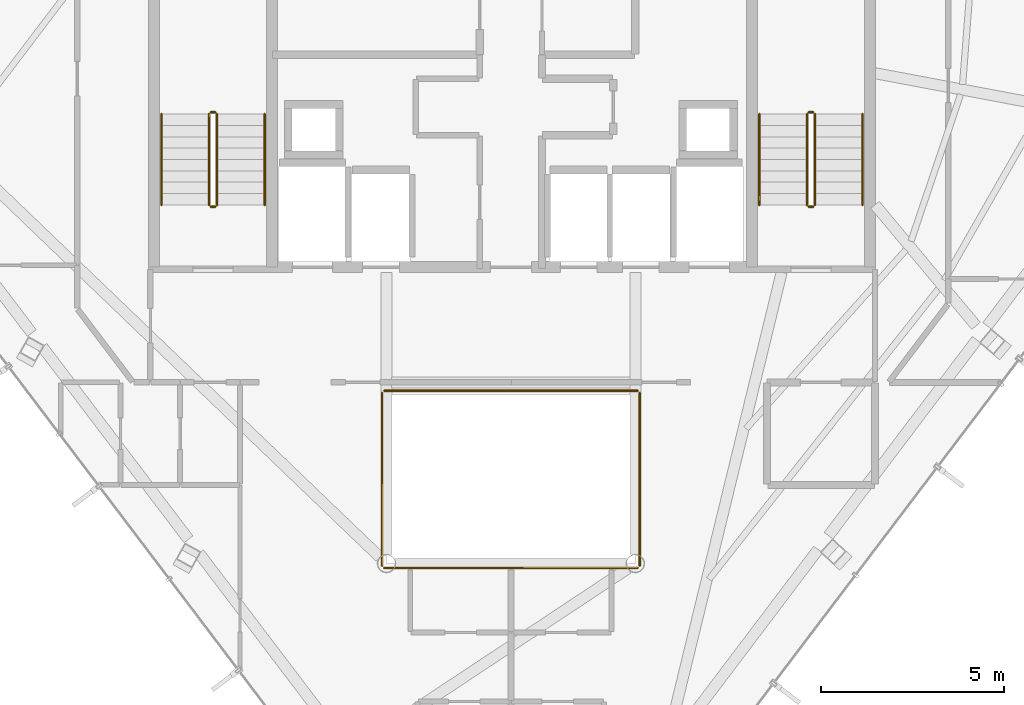
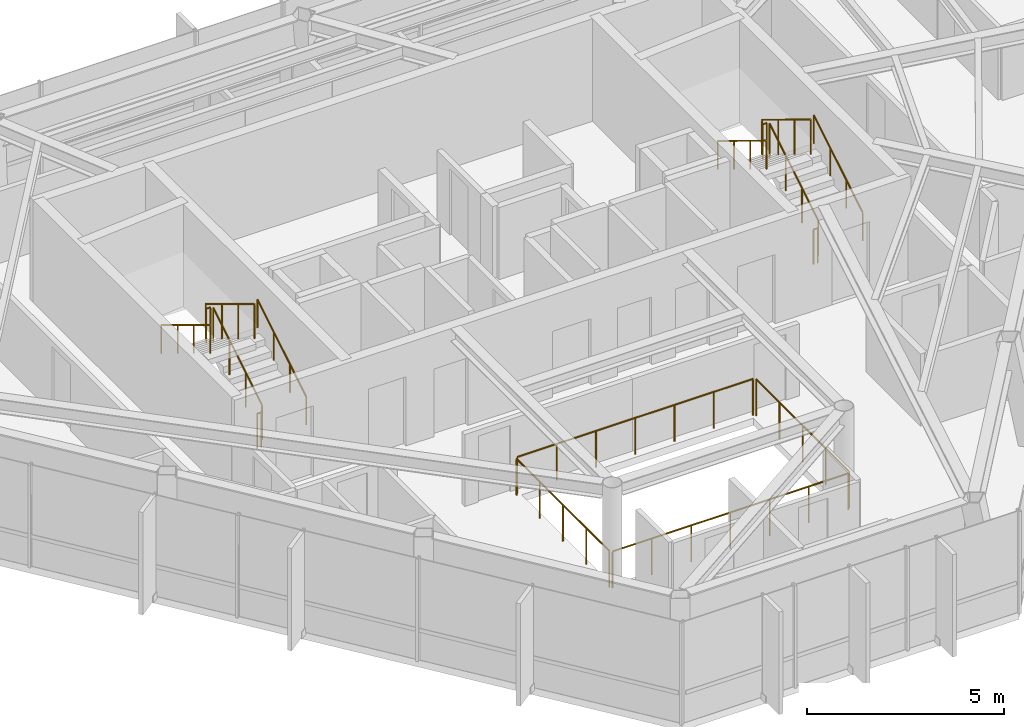
# One storey, part 26 of 26: 16 railings.
"""IFC4 building model written with IfcOpenShell, lengths in metres."""

from ifc_helpers import new_model, si_unit, direction, frame, origin, origin_2d, place, context, subcontext, project, spatial, circle, extrude, material, type_object, element, save


model = new_model("IFC4")

# Units and contexts
model_context = context("Model", 3, precision=1e-05, world=origin(), true_north=direction((0.0, 1.0)))
body_context = subcontext(model_context, "Body", "Model", "MODEL_VIEW")
ifc_project = project(units=[si_unit("LENGTHUNIT", "METRE"), si_unit("AREAUNIT", "SQUARE_METRE"), si_unit("VOLUMEUNIT", "CUBIC_METRE"), si_unit("PLANEANGLEUNIT", "RADIAN"), si_unit("MASSUNIT", "GRAM", prefix="KILO")], contexts=[model_context])

# Site, building, storey
site_placement = place(None, origin())
site = spatial("IfcSite", under=ifc_project, at=site_placement, CompositionType="ELEMENT")
building_placement = place(site_placement, origin())
building = spatial("IfcBuilding", under=site, at=building_placement, Name="Zarrinselat Tower", CompositionType="ELEMENT")
storey_placement = place(building_placement, frame((0.0, 0.0, 265.199951171875)))
storey = spatial("IfcBuildingStorey", under=building, at=storey_placement, Name="L67", CompositionType="ELEMENT", Elevation=265.199951171875)

# Railings
ifc_material_1 = material(Name="Double Low-E Laminated Solar Glass", Category="glass")
railing_type_1 = type_object("IfcRailingType", Name="RLG-ATRIUM-BAL", PredefinedType="BALUSTRADE", material=ifc_material_1)
railing_1_placement = place(storey_placement, frame((34.93994140625, 25.080078125, 0.0)))
element("IfcRailing", 1, at=railing_1_placement, inside=storey, type_object=railing_type_1, Name="L67 Atrium Void Glass Balustrade S", PredefinedType="BALUSTRADE", context=body_context, shape_type="SweptSolid", body=[
    extrude(circle(Radius=0.02392578125, at=origin_2d()), frame((0.0, 0.0, 1.1259765625), z_axis=(1.0, 0.0, 0.0), x_axis=(0.0, 1.0, 0.0)), (0.0, 0.0, 1.0), 6.920166015625),
    extrude(circle(Radius=0.02099609375, at=origin_2d()), origin(), (0.0, 0.0, 1.0), 1.099853515625),
    extrude(circle(Radius=0.02099609375, at=origin_2d()), frame((1.1533203125, 0.0, 0.0)), (0.0, 0.0, 1.0), 1.099853515625),
    extrude(circle(Radius=0.02099609375, at=origin_2d()), frame((2.306640625, 0.0, 0.0)), (0.0, 0.0, 1.0), 1.099853515625),
    extrude(circle(Radius=0.02099609375, at=origin_2d()), frame((3.4599609375, 0.0, 0.0)), (0.0, 0.0, 1.0), 1.099853515625),
    extrude(circle(Radius=0.02099609375, at=origin_2d()), frame((4.613525390625, 0.0, 0.0)), (0.0, 0.0, 1.0), 1.099853515625),
    extrude(circle(Radius=0.02099609375, at=origin_2d()), frame((5.766845703125, 0.0, 0.0)), (0.0, 0.0, 1.0), 1.099853515625),
    extrude(circle(Radius=0.02099609375, at=origin_2d()), frame((6.920166015625, 0.0, 0.0)), (0.0, 0.0, 1.0), 1.099853515625),
])
railing_2_placement = place(storey_placement, frame((41.919921875, 25.139892578125, 0.0)))
element("IfcRailing", 2, at=railing_2_placement, inside=storey, type_object=railing_type_1, Name="L67 Atrium Void Glass Balustrade E", PredefinedType="BALUSTRADE", context=body_context, shape_type="SweptSolid", body=[
    extrude(circle(Radius=0.02392578125, at=origin_2d()), frame((0.0, 0.0, 1.1259765625), z_axis=(0.0, 1.0, 0.0), x_axis=(-1.0, 0.0, 0.0)), (0.0, 0.0, 1.0), 4.72021484375),
    extrude(circle(Radius=0.02099609375, at=origin_2d()), origin(), (0.0, 0.0, 1.0), 1.099853515625),
    extrude(circle(Radius=0.02099609375, at=origin_2d()), frame((0.0, 1.18017578125, 0.0)), (0.0, 0.0, 1.0), 1.099853515625),
    extrude(circle(Radius=0.02099609375, at=origin_2d()), frame((0.0, 2.360107421875, 0.0)), (0.0, 0.0, 1.0), 1.099853515625),
    extrude(circle(Radius=0.02099609375, at=origin_2d()), frame((0.0, 3.5400390625, 0.0)), (0.0, 0.0, 1.0), 1.099853515625),
    extrude(circle(Radius=0.02099609375, at=origin_2d()), frame((0.0, 4.72021484375, 0.0)), (0.0, 0.0, 1.0), 1.099853515625),
])
railing_3_placement = place(storey_placement, frame((41.860107421875, 29.919921875, 0.0)))
element("IfcRailing", 3, at=railing_3_placement, inside=storey, type_object=railing_type_1, Name="L67 Atrium Void Glass Balustrade N", PredefinedType="BALUSTRADE", context=body_context, shape_type="SweptSolid", body=[
    extrude(circle(Radius=0.02392578125, at=origin_2d()), frame((0.0, 0.0, 1.1259765625), z_axis=(-1.0, 0.0, 0.0), x_axis=(0.0, -1.0, 0.0)), (0.0, 0.0, 1.0), 6.920166015625),
    extrude(circle(Radius=0.02099609375, at=origin_2d()), origin(), (0.0, 0.0, 1.0), 1.099853515625),
    extrude(circle(Radius=0.02099609375, at=origin_2d()), frame((-1.1533203125, 0.0, 0.0)), (0.0, 0.0, 1.0), 1.099853515625),
    extrude(circle(Radius=0.02099609375, at=origin_2d()), frame((-2.306640625, 0.0, 0.0)), (0.0, 0.0, 1.0), 1.099853515625),
    extrude(circle(Radius=0.02099609375, at=origin_2d()), frame((-3.4599609375, 0.0, 0.0)), (0.0, 0.0, 1.0), 1.099853515625),
    extrude(circle(Radius=0.02099609375, at=origin_2d()), frame((-4.613525390625, 0.0, 0.0)), (0.0, 0.0, 1.0), 1.099853515625),
    extrude(circle(Radius=0.02099609375, at=origin_2d()), frame((-5.766845703125, 0.0, 0.0)), (0.0, 0.0, 1.0), 1.099853515625),
    extrude(circle(Radius=0.02099609375, at=origin_2d()), frame((-6.920166015625, 0.0, 0.0)), (0.0, 0.0, 1.0), 1.099853515625),
])
railing_4_placement = place(storey_placement, frame((34.8798828125, 29.860107421875, 0.0)))
element("IfcRailing", 4, at=railing_4_placement, inside=storey, type_object=railing_type_1, Name="L67 Atrium Void Glass Balustrade W", PredefinedType="BALUSTRADE", context=body_context, shape_type="SweptSolid", body=[
    extrude(circle(Radius=0.02392578125, at=origin_2d()), frame((0.0, 0.0, 1.1259765625), z_axis=(0.0, -1.0, 0.0), x_axis=(1.0, 0.0, 0.0)), (0.0, 0.0, 1.0), 4.72021484375),
    extrude(circle(Radius=0.02099609375, at=origin_2d()), origin(), (0.0, 0.0, 1.0), 1.099853515625),
    extrude(circle(Radius=0.02099609375, at=origin_2d()), frame((0.0, -1.18017578125, 0.0)), (0.0, 0.0, 1.0), 1.099853515625),
    extrude(circle(Radius=0.02099609375, at=origin_2d()), frame((0.0, -2.360107421875, 0.0)), (0.0, 0.0, 1.0), 1.099853515625),
    extrude(circle(Radius=0.02099609375, at=origin_2d()), frame((0.0, -3.5400390625, 0.0)), (0.0, 0.0, 1.0), 1.099853515625),
    extrude(circle(Radius=0.02099609375, at=origin_2d()), frame((0.0, -4.72021484375, 0.0)), (0.0, 0.0, 1.0), 1.099853515625),
])
ifc_material_2 = material(Name="Steel S355J2", Category="steel")
railing_type_2 = type_object("IfcRailingType", Name="RLG-STAIR-GUARD", PredefinedType="GUARDRAIL", material=ifc_material_2)
railing_5_placement = place(storey_placement, frame((30.3701171875, 35.0, 0.18896484375)))
element("IfcRailing", 5, at=railing_5_placement, inside=storey, type_object=railing_type_2, Name="L67 ST-1 stair guard 1", PredefinedType="GUARDRAIL", context=body_context, shape_type="SweptSolid", body=[
    extrude(circle(Radius=0.02392578125, at=origin_2d()), frame((0.0, 0.0, 1.076171875), z_axis=(0.0, 0.8539793189, 0.520306950647), x_axis=(-1.0, 0.0, 0.0)), (0.0, 0.0, 1.0), 2.904052734375),
    extrude(circle(Radius=0.02099609375, at=origin_2d()), origin(), (0.0, 0.0, 1.0), 1.050048828125),
    extrude(circle(Radius=0.02099609375, at=origin_2d()), frame((0.0, 0.82666015625, 0.503662109375)), (0.0, 0.0, 1.0), 1.050048828125),
    extrude(circle(Radius=0.02099609375, at=origin_2d()), frame((0.0, 1.6533203125, 1.00732421875)), (0.0, 0.0, 1.0), 1.050048828125),
    extrude(circle(Radius=0.02099609375, at=origin_2d()), frame((0.0, 2.47998046875, 1.510986328125)), (0.0, 0.0, 1.0), 1.050048828125),
])
railing_6_placement = place(storey_placement, frame((30.320068359375, 37.530029296875, 1.699951171875)))
element("IfcRailing", 6, at=railing_6_placement, inside=storey, type_object=railing_type_2, Name="L67 ST-1 stair guard 2", PredefinedType="GUARDRAIL", context=body_context, shape_type="SweptSolid", body=[
    extrude(circle(Radius=0.02392578125, at=origin_2d()), frame((0.0, 0.0, 1.076171875), z_axis=(-1.0, 0.0, 0.0), x_axis=(0.0, -1.0, 0.0)), (0.0, 0.0, 1.0), 0.1201171875),
    extrude(circle(Radius=0.02099609375, at=origin_2d()), origin(), (0.0, 0.0, 1.0), 1.050048828125),
    extrude(circle(Radius=0.02099609375, at=origin_2d()), frame((-0.1201171875, 0.0, 0.0)), (0.0, 0.0, 1.0), 1.050048828125),
])
railing_7_placement = place(storey_placement, frame((30.14990234375, 37.47998046875, 1.888916015625)))
element("IfcRailing", 7, at=railing_7_placement, inside=storey, type_object=railing_type_2, Name="L67 ST-1 stair guard 3", PredefinedType="GUARDRAIL", context=body_context, shape_type="SweptSolid", body=[
    extrude(circle(Radius=0.02392578125, at=origin_2d()), frame((0.0, 0.0, 1.076171875), z_axis=(0.0, -0.853941963558, 0.520368256982), x_axis=(1.0, 0.0, 0.0)), (0.0, 0.0, 1.0), 2.904052734375),
    extrude(circle(Radius=0.02099609375, at=origin_2d()), origin(), (0.0, 0.0, 1.0), 1.050048828125),
    extrude(circle(Radius=0.02099609375, at=origin_2d()), frame((0.0, -0.82666015625, 0.503662109375)), (0.0, 0.0, 1.0), 1.050048828125),
    extrude(circle(Radius=0.02099609375, at=origin_2d()), frame((0.0, -1.6533203125, 1.007568359375)), (0.0, 0.0, 1.0), 1.050048828125),
    extrude(circle(Radius=0.02099609375, at=origin_2d()), frame((0.0, -2.47998046875, 1.51123046875)), (0.0, 0.0, 1.0), 1.050048828125),
])
railing_8_placement = place(storey_placement, frame((30.320068359375, 34.949951171875, 0.0)))
element("IfcRailing", 8, at=railing_8_placement, inside=storey, type_object=railing_type_2, Name="L67 ST-1 stair guard 4", PredefinedType="GUARDRAIL", context=body_context, shape_type="SweptSolid", body=[
    extrude(circle(Radius=0.02392578125, at=origin_2d()), frame((0.0, 0.0, 1.076171875), z_axis=(-1.0, 0.0, 0.0), x_axis=(0.0, -1.0, 0.0)), (0.0, 0.0, 1.0), 0.1201171875),
    extrude(circle(Radius=0.02099609375, at=origin_2d()), origin(), (0.0, 0.0, 1.0), 1.050048828125),
    extrude(circle(Radius=0.02099609375, at=origin_2d()), frame((-0.1201171875, 0.0, 0.0)), (0.0, 0.0, 1.0), 1.050048828125),
])
railing_9_placement = place(storey_placement, frame((46.7099609375, 35.0, 0.18896484375)))
element("IfcRailing", 9, at=railing_9_placement, inside=storey, type_object=railing_type_2, Name="L67 ST-2 stair guard 1", PredefinedType="GUARDRAIL", context=body_context, shape_type="SweptSolid", body=[
    extrude(circle(Radius=0.02392578125, at=origin_2d()), frame((0.0, 0.0, 1.076171875), z_axis=(0.0, 0.8539793189, 0.520306950647), x_axis=(-1.0, 0.0, 0.0)), (0.0, 0.0, 1.0), 2.904052734375),
    extrude(circle(Radius=0.02099609375, at=origin_2d()), origin(), (0.0, 0.0, 1.0), 1.050048828125),
    extrude(circle(Radius=0.02099609375, at=origin_2d()), frame((0.0, 0.82666015625, 0.503662109375)), (0.0, 0.0, 1.0), 1.050048828125),
    extrude(circle(Radius=0.02099609375, at=origin_2d()), frame((0.0, 1.6533203125, 1.00732421875)), (0.0, 0.0, 1.0), 1.050048828125),
    extrude(circle(Radius=0.02099609375, at=origin_2d()), frame((0.0, 2.47998046875, 1.510986328125)), (0.0, 0.0, 1.0), 1.050048828125),
])
railing_10_placement = place(storey_placement, frame((46.659912109375, 37.530029296875, 1.699951171875)))
element("IfcRailing", 10, at=railing_10_placement, inside=storey, type_object=railing_type_2, Name="L67 ST-2 stair guard 2", PredefinedType="GUARDRAIL", context=body_context, shape_type="SweptSolid", body=[
    extrude(circle(Radius=0.02392578125, at=origin_2d()), frame((0.0, 0.0, 1.076171875), z_axis=(-1.0, 0.0, 0.0), x_axis=(0.0, -1.0, 0.0)), (0.0, 0.0, 1.0), 0.119873046875),
    extrude(circle(Radius=0.02099609375, at=origin_2d()), origin(), (0.0, 0.0, 1.0), 1.050048828125),
    extrude(circle(Radius=0.02099609375, at=origin_2d()), frame((-0.119873046875, 0.0, 0.0)), (0.0, 0.0, 1.0), 1.050048828125),
])
railing_11_placement = place(storey_placement, frame((46.489990234375, 37.47998046875, 1.888916015625)))
element("IfcRailing", 11, at=railing_11_placement, inside=storey, type_object=railing_type_2, Name="L67 ST-2 stair guard 3", PredefinedType="GUARDRAIL", context=body_context, shape_type="SweptSolid", body=[
    extrude(circle(Radius=0.02392578125, at=origin_2d()), frame((0.0, 0.0, 1.076171875), z_axis=(0.0, -0.853941963558, 0.520368256982), x_axis=(1.0, 0.0, 0.0)), (0.0, 0.0, 1.0), 2.904052734375),
    extrude(circle(Radius=0.02099609375, at=origin_2d()), origin(), (0.0, 0.0, 1.0), 1.050048828125),
    extrude(circle(Radius=0.02099609375, at=origin_2d()), frame((0.0, -0.82666015625, 0.503662109375)), (0.0, 0.0, 1.0), 1.050048828125),
    extrude(circle(Radius=0.02099609375, at=origin_2d()), frame((0.0, -1.6533203125, 1.007568359375)), (0.0, 0.0, 1.0), 1.050048828125),
    extrude(circle(Radius=0.02099609375, at=origin_2d()), frame((0.0, -2.47998046875, 1.51123046875)), (0.0, 0.0, 1.0), 1.050048828125),
])
railing_12_placement = place(storey_placement, frame((46.659912109375, 34.949951171875, 0.0)))
element("IfcRailing", 12, at=railing_12_placement, inside=storey, type_object=railing_type_2, Name="L67 ST-2 stair guard 4", PredefinedType="GUARDRAIL", context=body_context, shape_type="SweptSolid", body=[
    extrude(circle(Radius=0.02392578125, at=origin_2d()), frame((0.0, 0.0, 1.076171875), z_axis=(-1.0, 0.0, 0.0), x_axis=(0.0, -1.0, 0.0)), (0.0, 0.0, 1.0), 0.119873046875),
    extrude(circle(Radius=0.02099609375, at=origin_2d()), origin(), (0.0, 0.0, 1.0), 1.050048828125),
    extrude(circle(Radius=0.02099609375, at=origin_2d()), frame((-0.119873046875, 0.0, 0.0)), (0.0, 0.0, 1.0), 1.050048828125),
])
ifc_material_3 = material(Name="Steel S355J2", Category="steel")
railing_type_3 = type_object("IfcRailingType", Name="RLG-STAIR-HAND", PredefinedType="HANDRAIL", material=ifc_material_3)
railing_13_placement = place(storey_placement, frame((31.669921875, 35.0, 0.18896484375)))
element("IfcRailing", 13, at=railing_13_placement, inside=storey, type_object=railing_type_3, Name="L67 ST-1 stair handrail 1", PredefinedType="HANDRAIL", context=body_context, shape_type="SweptSolid", body=[
    extrude(circle(Radius=0.02392578125, at=origin_2d()), frame((0.0, 0.0, 0.8759765625), z_axis=(0.0, 0.8539793189, 0.520306950647), x_axis=(-1.0, 0.0, 0.0)), (0.0, 0.0, 1.0), 2.904052734375),
    extrude(circle(Radius=0.02099609375, at=origin_2d()), origin(), (0.0, 0.0, 1.0), 0.849853515625),
    extrude(circle(Radius=0.02099609375, at=origin_2d()), frame((0.0, 0.82666015625, 0.503662109375)), (0.0, 0.0, 1.0), 0.849853515625),
    extrude(circle(Radius=0.02099609375, at=origin_2d()), frame((0.0, 1.6533203125, 1.00732421875)), (0.0, 0.0, 1.0), 0.849853515625),
    extrude(circle(Radius=0.02099609375, at=origin_2d()), frame((0.0, 2.47998046875, 1.510986328125)), (0.0, 0.0, 1.0), 0.849853515625),
])
railing_14_placement = place(storey_placement, frame((28.85009765625, 37.47998046875, 1.888916015625)))
element("IfcRailing", 14, at=railing_14_placement, inside=storey, type_object=railing_type_3, Name="L67 ST-1 stair handrail 2", PredefinedType="HANDRAIL", context=body_context, shape_type="SweptSolid", body=[
    extrude(circle(Radius=0.02392578125, at=origin_2d()), frame((0.0, 0.0, 0.8759765625), z_axis=(0.0, -0.853941963558, 0.520368256982), x_axis=(1.0, 0.0, 0.0)), (0.0, 0.0, 1.0), 2.904052734375),
    extrude(circle(Radius=0.02099609375, at=origin_2d()), origin(), (0.0, 0.0, 1.0), 0.849853515625),
    extrude(circle(Radius=0.02099609375, at=origin_2d()), frame((0.0, -0.82666015625, 0.503662109375)), (0.0, 0.0, 1.0), 0.849853515625),
    extrude(circle(Radius=0.02099609375, at=origin_2d()), frame((0.0, -1.6533203125, 1.007568359375)), (0.0, 0.0, 1.0), 0.849853515625),
    extrude(circle(Radius=0.02099609375, at=origin_2d()), frame((0.0, -2.47998046875, 1.51123046875)), (0.0, 0.0, 1.0), 0.849853515625),
])
railing_15_placement = place(storey_placement, frame((48.010009765625, 35.0, 0.18896484375)))
element("IfcRailing", 15, at=railing_15_placement, inside=storey, type_object=railing_type_3, Name="L67 ST-2 stair handrail 1", PredefinedType="HANDRAIL", context=body_context, shape_type="SweptSolid", body=[
    extrude(circle(Radius=0.02392578125, at=origin_2d()), frame((0.0, 0.0, 0.8759765625), z_axis=(0.0, 0.8539793189, 0.520306950647), x_axis=(-1.0, 0.0, 0.0)), (0.0, 0.0, 1.0), 2.904052734375),
    extrude(circle(Radius=0.02099609375, at=origin_2d()), origin(), (0.0, 0.0, 1.0), 0.849853515625),
    extrude(circle(Radius=0.02099609375, at=origin_2d()), frame((0.0, 0.82666015625, 0.503662109375)), (0.0, 0.0, 1.0), 0.849853515625),
    extrude(circle(Radius=0.02099609375, at=origin_2d()), frame((0.0, 1.6533203125, 1.00732421875)), (0.0, 0.0, 1.0), 0.849853515625),
    extrude(circle(Radius=0.02099609375, at=origin_2d()), frame((0.0, 2.47998046875, 1.510986328125)), (0.0, 0.0, 1.0), 0.849853515625),
])
railing_16_placement = place(storey_placement, frame((45.18994140625, 37.47998046875, 1.888916015625)))
element("IfcRailing", 16, at=railing_16_placement, inside=storey, type_object=railing_type_3, Name="L67 ST-2 stair handrail 2", PredefinedType="HANDRAIL", context=body_context, shape_type="SweptSolid", body=[
    extrude(circle(Radius=0.02392578125, at=origin_2d()), frame((0.0, 0.0, 0.8759765625), z_axis=(0.0, -0.853941963558, 0.520368256982), x_axis=(1.0, 0.0, 0.0)), (0.0, 0.0, 1.0), 2.904052734375),
    extrude(circle(Radius=0.02099609375, at=origin_2d()), origin(), (0.0, 0.0, 1.0), 0.849853515625),
    extrude(circle(Radius=0.02099609375, at=origin_2d()), frame((0.0, -0.82666015625, 0.503662109375)), (0.0, 0.0, 1.0), 0.849853515625),
    extrude(circle(Radius=0.02099609375, at=origin_2d()), frame((0.0, -1.6533203125, 1.007568359375)), (0.0, 0.0, 1.0), 0.849853515625),
    extrude(circle(Radius=0.02099609375, at=origin_2d()), frame((0.0, -2.47998046875, 1.51123046875)), (0.0, 0.0, 1.0), 0.849853515625),
])

save(model, "model.ifc")
